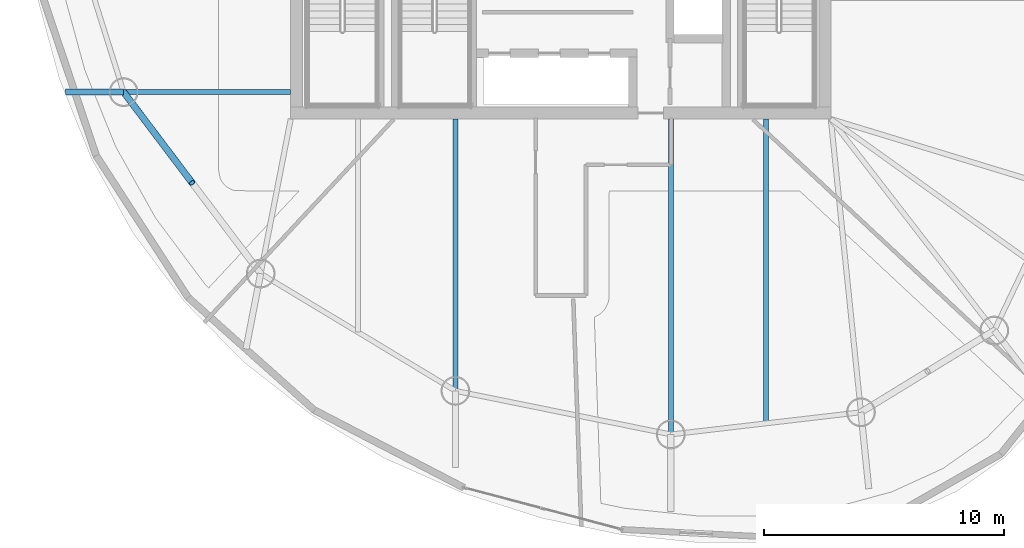
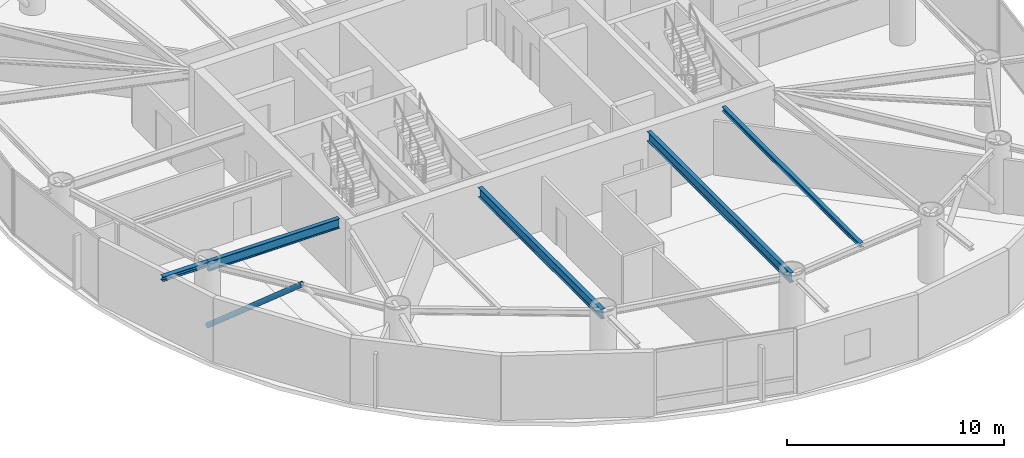
# One storey, part 3 of 20: 5 beams, 1 member.
"""IFC4 building model written with IfcOpenShell, lengths in metres."""

from ifc_helpers import new_model, si_unit, direction, frame, origin, origin_2d, place, context, subcontext, project, spatial, hollow_circle, i_section, extrude, material, material_profile, profile_set, type_object, element, save


model = new_model("IFC4")

# Units and contexts
model_context = context("Model", 3, precision=1e-05, world=origin(), true_north=direction((0.0, 1.0)))
body_context = subcontext(model_context, "Body", "Model", "MODEL_VIEW")
ifc_project = project(units=[si_unit("LENGTHUNIT", "METRE"), si_unit("AREAUNIT", "SQUARE_METRE"), si_unit("VOLUMEUNIT", "CUBIC_METRE"), si_unit("PLANEANGLEUNIT", "RADIAN"), si_unit("MASSUNIT", "GRAM", prefix="KILO")], contexts=[model_context])

# Site, building, storey
site_placement = place(None, origin())
site = spatial("IfcSite", under=ifc_project, at=site_placement, CompositionType="ELEMENT")
building_placement = place(site_placement, origin())
building = spatial("IfcBuilding", under=site, at=building_placement, Name="Bramvorn Convention Spire", CompositionType="ELEMENT")
storey_placement = place(building_placement, frame((0.0, 0.0, 228.949951171875)))
storey = spatial("IfcBuildingStorey", under=building, at=storey_placement, Name="L58", CompositionType="ELEMENT", Elevation=228.949951171875)

# Beams
ifc_material = material(Name="Steel CSA G40.21 Grade 350 (350W)", Category="steel")
ifc_material_profile_1 = material_profile(ifc_material, i_section(OverallWidth=0.201904296875, OverallDepth=0.2470703125, WebThickness=0.00732421875, FlangeThickness=0.010986328125, FilletRadius=0.011962890625, at=origin_2d()))
ifc_profile_set_1 = profile_set([ifc_material_profile_1], Name="Steel CSA G40.21 Grade 350 (350W) - W250X49")
beam_type_1 = type_object("IfcBeamType", Name="BM-W250X49", PredefinedType="JOIST", material=ifc_profile_set_1)
beam_1_placement = place(storey_placement, frame((46.544189453125, 18.550048828125, 3.49658203125), z_axis=(0.0, -1.0, 0.0), x_axis=(1.0, 0.0, 0.0)))
element("IfcBeam", 1, at=beam_1_placement, inside=storey, type_object=beam_type_1, Name="L58 composite floor joist 15", PredefinedType="JOIST", context=body_context, shape_type="SweptSolid", body=[
    extrude(i_section(OverallWidth=0.201904296875, OverallDepth=0.2470703125, WebThickness=0.00732421875, FlangeThickness=0.010986328125, FilletRadius=0.011962890625, at=origin_2d()), origin(), (0.0, 0.0, 1.0), 12.67626953125),
])
ifc_material_profile_2 = material_profile(ifc_material, i_section(OverallWidth=0.25390625, OverallDepth=0.2529296875, WebThickness=0.008544921875, FlangeThickness=0.01416015625, FilletRadius=0.011962890625, at=origin_2d()))
ifc_profile_set_2 = profile_set([ifc_material_profile_2], Name="Steel CSA G40.21 Grade 350 (350W) - W250X73")
beam_type_2 = type_object("IfcBeamType", Name="BM-W250X73", PredefinedType="BEAM", material=ifc_profile_set_2)
beam_2_placement = place(storey_placement, frame((19.78955078125, 19.672607421875, 3.49365234375), z_axis=(-1.0, 0.0, 0.0), x_axis=(0.0, -1.0, 0.0)))
element("IfcBeam", 2, at=beam_2_placement, inside=storey, type_object=beam_type_2, Name="L58 slab-edge cantilever tip beam MC12", PredefinedType="BEAM", context=body_context, shape_type="SweptSolid", body=[
    extrude(i_section(OverallWidth=0.25390625, OverallDepth=0.2529296875, WebThickness=0.008544921875, FlangeThickness=0.01416015625, FilletRadius=0.011962890625, at=origin_2d()), origin(), (0.0, 0.0, 1.0), 2.424072265625),
])
ifc_material_profile_3 = material_profile(ifc_material, i_section(OverallWidth=0.2119140625, OverallDepth=0.5439453125, WebThickness=0.01318359375, FlangeThickness=0.021240234375, FilletRadius=0.01904296875, at=origin_2d()))
ifc_profile_set_3 = profile_set([ifc_material_profile_3], Name="Steel CSA G40.21 Grade 350 (350W) - W530X123")
beam_type_3 = type_object("IfcBeamType", Name="BM-W530X123", PredefinedType="BEAM", material=ifc_profile_set_3)
beam_3_placement = place(storey_placement, frame((26.75, 19.672607421875, 3.34814453125), z_axis=(-1.0, 0.0, 0.0), x_axis=(0.0, -1.0, 0.0)))
element("IfcBeam", 3, at=beam_3_placement, inside=storey, type_object=beam_type_3, Name="L58 radial floor girder MC12", PredefinedType="BEAM", context=body_context, shape_type="SweptSolid", body=[
    extrude(i_section(OverallWidth=0.2119140625, OverallDepth=0.5439453125, WebThickness=0.01318359375, FlangeThickness=0.021240234375, FilletRadius=0.01904296875, at=origin_2d()), origin(), (0.0, 0.0, 1.0), 6.96044921875),
])
beam_4_placement = place(storey_placement, frame((33.61083984375, 18.550048828125, 3.34814453125), z_axis=(0.0, -1.0, 0.0), x_axis=(1.0, 0.0, 0.0)))
element("IfcBeam", 4, at=beam_4_placement, inside=storey, type_object=beam_type_3, Name="L58 radial floor girder MC14", PredefinedType="BEAM", context=body_context, shape_type="SweptSolid", body=[
    extrude(i_section(OverallWidth=0.2119140625, OverallDepth=0.5439453125, WebThickness=0.01318359375, FlangeThickness=0.021240234375, FilletRadius=0.01904296875, at=origin_2d()), origin(), (0.0, 0.0, 1.0), 11.322265625),
])
beam_5_placement = place(storey_placement, frame((42.583740234375, 18.550048828125, 3.34814453125), z_axis=(0.0, -1.0, 0.0), x_axis=(1.0, 0.0, 0.0)))
element("IfcBeam", 5, at=beam_5_placement, inside=storey, type_object=beam_type_3, Name="L58 radial floor girder MC15", PredefinedType="BEAM", context=body_context, shape_type="SweptSolid", body=[
    extrude(i_section(OverallWidth=0.2119140625, OverallDepth=0.5439453125, WebThickness=0.01318359375, FlangeThickness=0.021240234375, FilletRadius=0.01904296875, at=origin_2d()), origin(), (0.0, 0.0, 1.0), 13.138427734375),
])

# Member
ifc_material_profile_4 = material_profile(ifc_material, hollow_circle(Radius=0.136474609375, WallThickness=0.0126953125, at=origin_2d()))
ifc_profile_set_4 = profile_set([ifc_material_profile_4], Name="Steel CSA G40.21 Grade 350 (350W) - CHS273X13")
member_type = type_object("IfcMemberType", Name="MBR-CHS273X13", PredefinedType="BRACE", material=ifc_profile_set_4)
member_placement = place(storey_placement, frame((19.78955078125, 19.672607421875, 0.0), z_axis=(0.478834801206, -0.633941070316, 0.607318658137), x_axis=(0.797953827999, 0.602718581414, 0.0)))
element("IfcMember", 6, at=member_placement, inside=storey, type_object=member_type, Name="L58 perimeter Gothic lancet brace 12A", PredefinedType="BRACE", context=body_context, shape_type="SweptSolid", body=[
    extrude(hollow_circle(Radius=0.136474609375, WallThickness=0.0126953125, at=origin_2d()), origin(), (0.0, 0.0, 1.0), 5.9609375),
])

save(model, "model.ifc")
